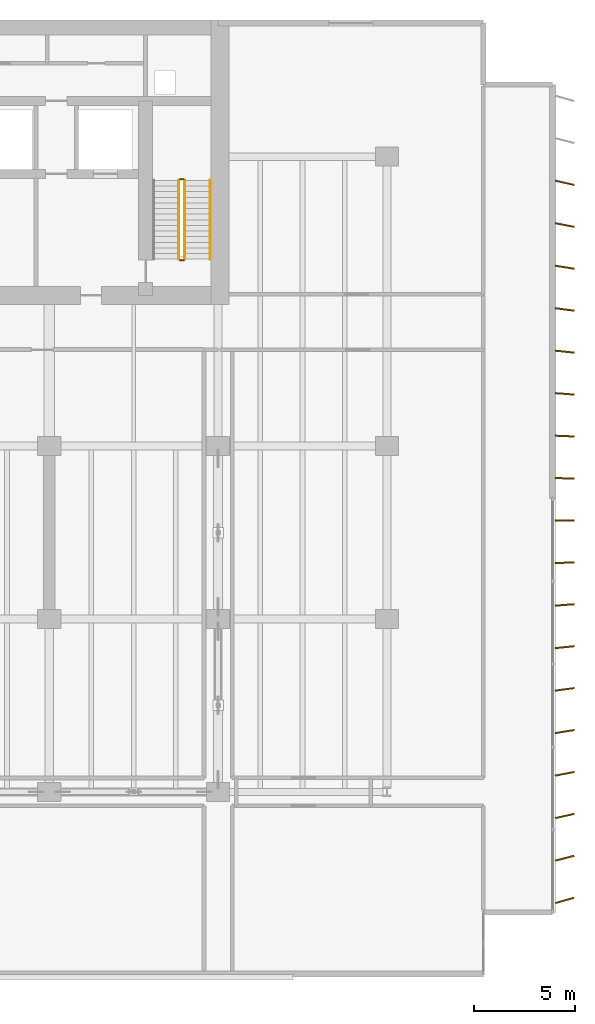
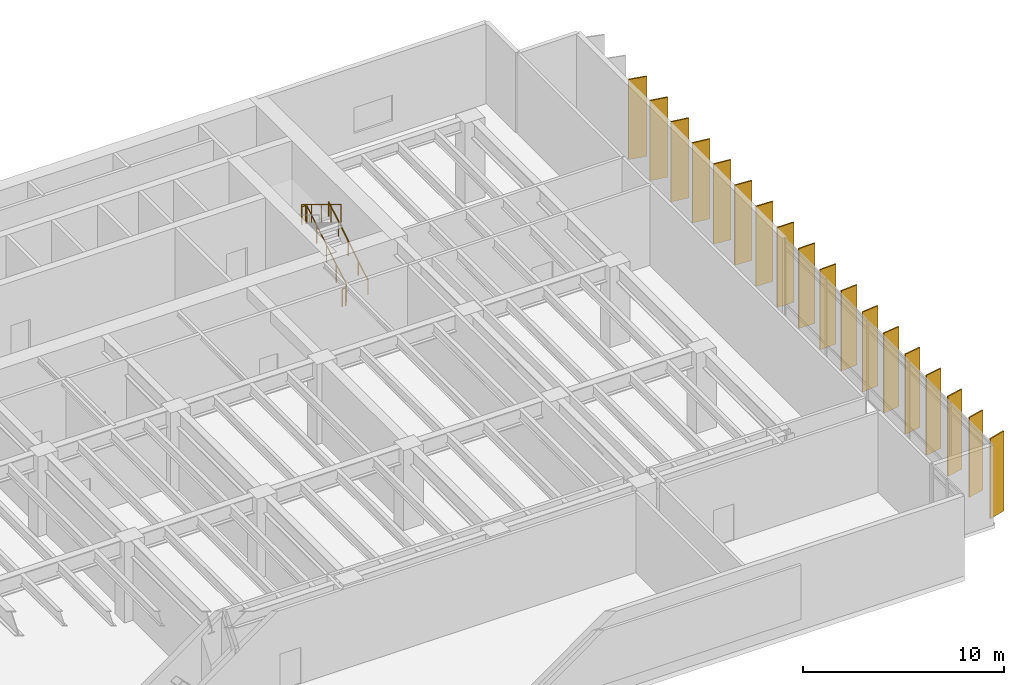
# One storey, part 20 of 21: 18 shading devices, 5 railings.
"""IFC4 building model written with IfcOpenShell, lengths in metres."""

from ifc_helpers import new_model, si_unit, direction, frame, origin, origin_2d, place, context, subcontext, project, spatial, rectangle, circle, extrude, material, material_profile, profile_set, type_object, element, save


model = new_model("IFC4")

# Units and contexts
model_context = context("Model", 3, precision=1e-05, world=origin(), true_north=direction((0.0, 1.0)))
body_context = subcontext(model_context, "Body", "Model", "MODEL_VIEW")
ifc_project = project(units=[si_unit("LENGTHUNIT", "METRE"), si_unit("AREAUNIT", "SQUARE_METRE"), si_unit("VOLUMEUNIT", "CUBIC_METRE"), si_unit("PLANEANGLEUNIT", "RADIAN"), si_unit("MASSUNIT", "GRAM", prefix="KILO")], contexts=[model_context])

# Site, building, storey
site_placement = place(None, origin())
site = spatial("IfcSite", under=ifc_project, at=site_placement, CompositionType="ELEMENT")
building_placement = place(site_placement, origin())
building = spatial("IfcBuilding", under=site, at=building_placement, Name="Caelmar Bay Residences", CompositionType="ELEMENT")
storey_placement = place(building_placement, frame((0.0, 0.0, 79.5)))
storey = spatial("IfcBuildingStorey", under=building, at=storey_placement, Name="L21", CompositionType="ELEMENT", Elevation=79.5)

# Railings
ifc_material_1 = material(Name="Painted galvanized steel stair guard 1100 mm", Category="steel")
railing_type_1 = type_object("IfcRailingType", Name="RL-GRD-1100", PredefinedType="GUARDRAIL", material=ifc_material_1)
railing_1_placement = place(storey_placement, frame((57.85009765625, 38.699951171875, 0.169921875)))
element("IfcRailing", 1, at=railing_1_placement, inside=storey, type_object=railing_type_1, Name="L21 ST2 stair guard 1", PredefinedType="GUARDRAIL", context=body_context, shape_type="SweptSolid", body=[
    extrude(circle(Radius=0.02392578125, at=origin_2d()), frame((0.0, 0.0, 1.076171875), z_axis=(0.0, 0.854784984964, 0.518982301701), x_axis=(-1.0, 0.0, 0.0)), (0.0, 0.0, 1.0), 4.586181640625),
    extrude(circle(Radius=0.02099609375, at=origin_2d()), origin(), (0.0, 0.0, 1.0), 1.052001953125),
    extrude(circle(Radius=0.02099609375, at=origin_2d()), frame((0.0, 0.97998046875, 0.594970703125)), (0.0, 0.0, 1.0), 1.052001953125),
    extrude(circle(Radius=0.02099609375, at=origin_2d()), frame((0.0, 1.9599609375, 1.18994140625)), (0.0, 0.0, 1.0), 1.052001953125),
    extrude(circle(Radius=0.02099609375, at=origin_2d()), frame((0.0, 2.940185546875, 1.78515625)), (0.0, 0.0, 1.0), 1.052001953125),
    extrude(circle(Radius=0.02099609375, at=origin_2d()), frame((0.0, 3.920166015625, 2.380126953125)), (0.0, 0.0, 1.0), 1.052001953125),
])
railing_2_placement = place(storey_placement, frame((57.800048828125, 42.669921875, 2.550048828125)))
element("IfcRailing", 2, at=railing_2_placement, inside=storey, type_object=railing_type_1, Name="L21 ST2 stair guard 2", PredefinedType="GUARDRAIL", context=body_context, shape_type="SweptSolid", body=[
    extrude(circle(Radius=0.02392578125, at=origin_2d()), frame((0.0, 0.0, 1.076171875), z_axis=(-1.0, 0.0, 0.0), x_axis=(0.0, -1.0, 0.0)), (0.0, 0.0, 1.0), 0.199951171875),
    extrude(circle(Radius=0.02099609375, at=origin_2d()), origin(), (0.0, 0.0, 1.0), 1.052001953125),
    extrude(circle(Radius=0.02099609375, at=origin_2d()), frame((-0.199951171875, 0.0, 0.0)), (0.0, 0.0, 1.0), 1.052001953125),
])
railing_3_placement = place(storey_placement, frame((57.550048828125, 42.6201171875, 2.719970703125)))
element("IfcRailing", 3, at=railing_3_placement, inside=storey, type_object=railing_type_1, Name="L21 ST2 stair guard 3", PredefinedType="GUARDRAIL", context=body_context, shape_type="SweptSolid", body=[
    extrude(circle(Radius=0.02392578125, at=origin_2d()), frame((0.0, 0.0, 1.076171875), z_axis=(0.0, -0.854784984964, 0.518982301701), x_axis=(1.0, 0.0, 0.0)), (0.0, 0.0, 1.0), 4.586181640625),
    extrude(circle(Radius=0.02099609375, at=origin_2d()), origin(), (0.0, 0.0, 1.0), 1.052001953125),
    extrude(circle(Radius=0.02099609375, at=origin_2d()), frame((0.0, -0.97998046875, 0.594970703125)), (0.0, 0.0, 1.0), 1.052001953125),
    extrude(circle(Radius=0.02099609375, at=origin_2d()), frame((0.0, -1.9599609375, 1.18994140625)), (0.0, 0.0, 1.0), 1.052001953125),
    extrude(circle(Radius=0.02099609375, at=origin_2d()), frame((0.0, -2.940185546875, 1.78515625)), (0.0, 0.0, 1.0), 1.052001953125),
    extrude(circle(Radius=0.02099609375, at=origin_2d()), frame((0.0, -3.920166015625, 2.380126953125)), (0.0, 0.0, 1.0), 1.052001953125),
])
railing_4_placement = place(storey_placement, frame((57.800048828125, 38.64990234375, 0.0)))
element("IfcRailing", 4, at=railing_4_placement, inside=storey, type_object=railing_type_1, Name="L21 ST2 stair guard 4", PredefinedType="GUARDRAIL", context=body_context, shape_type="SweptSolid", body=[
    extrude(circle(Radius=0.02392578125, at=origin_2d()), frame((0.0, 0.0, 1.076171875), z_axis=(-1.0, 0.0, 0.0), x_axis=(0.0, -1.0, 0.0)), (0.0, 0.0, 1.0), 0.199951171875),
    extrude(circle(Radius=0.02099609375, at=origin_2d()), origin(), (0.0, 0.0, 1.0), 1.052001953125),
    extrude(circle(Radius=0.02099609375, at=origin_2d()), frame((-0.199951171875, 0.0, 0.0)), (0.0, 0.0, 1.0), 1.052001953125),
])
ifc_material_2 = material(Name="Brushed bronze stainless-steel tubular handrail 900 mm", Category="steel")
railing_type_2 = type_object("IfcRailingType", Name="RL-HND-900", PredefinedType="HANDRAIL", material=ifc_material_2)
railing_5_placement = place(storey_placement, frame((59.10009765625, 38.699951171875, 0.169921875)))
element("IfcRailing", 5, at=railing_5_placement, inside=storey, type_object=railing_type_2, Name="L21 ST2 stair handrail 1", PredefinedType="HANDRAIL", context=body_context, shape_type="SweptSolid", body=[
    extrude(circle(Radius=0.02392578125, at=origin_2d()), frame((0.0, 0.0, 0.8759765625), z_axis=(0.0, 0.854784984964, 0.518982301701), x_axis=(-1.0, 0.0, 0.0)), (0.0, 0.0, 1.0), 4.586181640625),
    extrude(circle(Radius=0.02099609375, at=origin_2d()), origin(), (0.0, 0.0, 1.0), 0.851806640625),
    extrude(circle(Radius=0.02099609375, at=origin_2d()), frame((0.0, 0.97998046875, 0.594970703125)), (0.0, 0.0, 1.0), 0.851806640625),
    extrude(circle(Radius=0.02099609375, at=origin_2d()), frame((0.0, 1.9599609375, 1.18994140625)), (0.0, 0.0, 1.0), 0.851806640625),
    extrude(circle(Radius=0.02099609375, at=origin_2d()), frame((0.0, 2.940185546875, 1.78515625)), (0.0, 0.0, 1.0), 0.851806640625),
    extrude(circle(Radius=0.02099609375, at=origin_2d()), frame((0.0, 3.920166015625, 2.380126953125)), (0.0, 0.0, 1.0), 0.851806640625),
])

# Shading devices
ifc_material_3 = material(Name="Anodised architectural bronze aluminium 6063-T6", Category="aluminium")
ifc_material_profile = material_profile(ifc_material_3, rectangle(XDim=0.074951171875, YDim=0.949951171875, at=origin_2d()), Name="BRONZE-FIN-75X950")
ifc_profile_set = profile_set([ifc_material_profile], Name="Anodised architectural bronze aluminium 6063-T6")
shading_device_type = type_object("IfcShadingDeviceType", Name="SHD-FIN-950", PredefinedType="USERDEFINED", material=ifc_profile_set)
for number, where, z_axis, x_axis, name in (
    (6, (76.75, 6.800048828125, 0.0), (0.0, 0.0, 1.0), (-0.275637355817, 0.961261695938, 0.0), "L21 East Bronze Solar Fin 1"),
    (7, (76.75, 8.89990234375, 0.0), (0.0, 0.0, 1.0), (-0.247337247968, 0.968929453452, 0.0), "L21 East Bronze Solar Fin 2"),
    (8, (76.75, 11.0, 0.0), (0.0, 0.0, 1.0), (-0.218654200292, 0.975802408633, 0.0), "L21 East Bronze Solar Fin 3"),
    (9, (76.75, 13.10009765625, 0.0), (0.0, 0.0, 1.0), (-0.189952291512, 0.981793321911, 0.0), "L21 East Bronze Solar Fin 4"),
    (10, (76.75, 15.199951171875, 0.0), (0.0, 0.0, 1.0), (-0.160914826518, 0.986968296657, 0.0), "L21 East Bronze Solar Fin 5"),
    (11, (76.75, 17.300048828125, 0.0), (0.0, 0.0, 1.0), (-0.131910382711, 0.991261646052, 0.0), "L21 East Bronze Solar Fin 6"),
    (12, (76.75, 19.39990234375, 0.0), (0.0, 0.0, 1.0), (-0.10261892683, 0.994720742649, 0.0), "L21 East Bronze Solar Fin 7"),
    (13, (76.75, 21.5, 0.0), (0.0, 0.0, 1.0), (-0.073412260224, 0.997301679558, 0.0), "L21 East Bronze Solar Fin 8"),
    (14, (76.75, 23.60009765625, 0.0), (0.0, 0.0, 1.0), (-0.044142481788, 0.999025245578, 0.0), "L21 East Bronze Solar Fin 9"),
    (15, (76.75, 25.699951171875, 0.0), (0.0, 0.0, 1.0), (-0.01466024053, 0.999892532899, 0.0), "L21 East Bronze Solar Fin 10"),
    (16, (76.75, 27.800048828125, 0.0), (0.0, 0.0, 1.0), (0.01466024053, 0.999892532899, 0.0), "L21 East Bronze Solar Fin 11"),
    (17, (76.75, 29.89990234375, 0.0), (0.0, 0.0, 1.0), (0.044142481788, 0.999025245578, 0.0), "L21 East Bronze Solar Fin 12"),
    (18, (76.75, 32.0, 0.0), (0.0, 0.0, 1.0), (0.073412260224, 0.997301679558, 0.0), "L21 East Bronze Solar Fin 13"),
    (19, (76.75, 34.10009765625, 0.0), (0.0, 0.0, 1.0), (0.10261892683, 0.994720742649, 0.0), "L21 East Bronze Solar Fin 14"),
    (20, (76.75, 36.199951171875, 0.0), (0.0, 0.0, 1.0), (0.131910382711, 0.991261646052, 0.0), "L21 East Bronze Solar Fin 15"),
    (21, (76.75, 38.300048828125, 0.0), (0.0, 0.0, 1.0), (0.160914826518, 0.986968296657, 0.0), "L21 East Bronze Solar Fin 16"),
    (22, (76.75, 40.39990234375, 0.0), (0.0, 0.0, 1.0), (0.189952291512, 0.981793321911, 0.0), "L21 East Bronze Solar Fin 17"),
    (23, (76.75, 42.5, 0.0), (0.0, 0.0, 1.0), (0.218654200292, 0.975802408633, 0.0), "L21 East Bronze Solar Fin 18"),
):
    element("IfcShadingDevice", number, at=place(storey_placement, frame(where, z_axis=z_axis, x_axis=x_axis)), inside=storey, type_object=shading_device_type, Name=name, ObjectType="FIN", PredefinedType="USERDEFINED", context=body_context, shape_type="SweptSolid", body=[
        extrude(rectangle(XDim=0.074951171875, YDim=0.949951171875, at=origin_2d()), origin(), (0.0, 0.0, 1.0), 4.85009765625),
    ])

save(model, "model.ifc")
